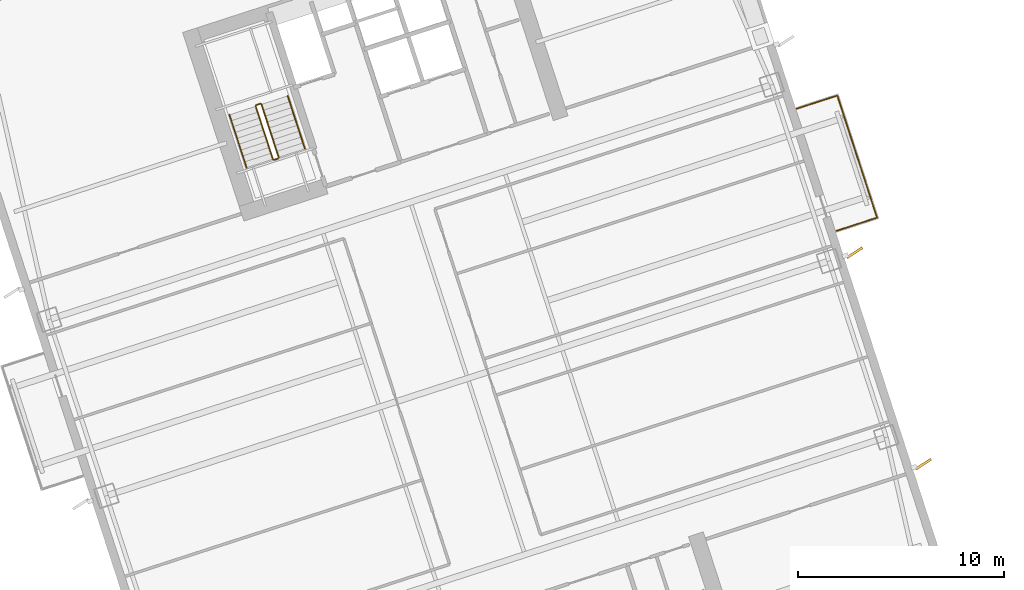
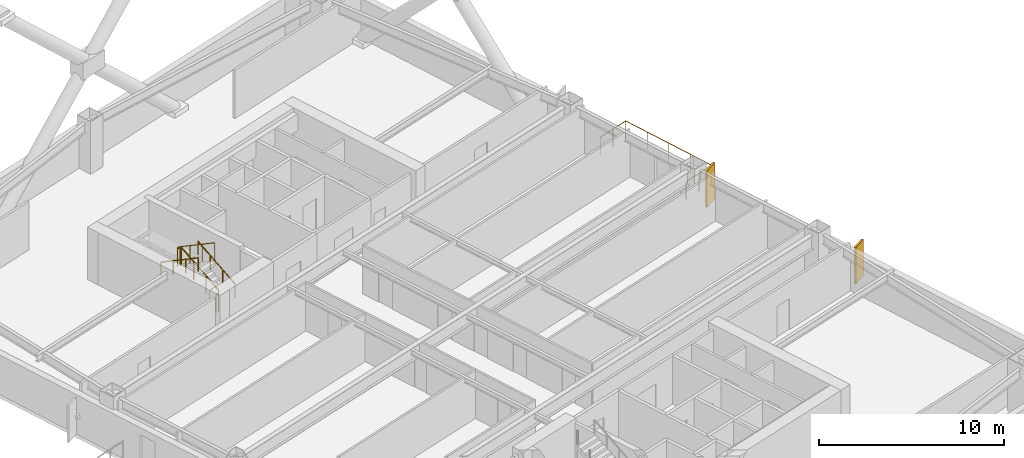
# One storey, part 17 of 18: 7 railings, 2 shading devices.
"""IFC4 building model written with IfcOpenShell, lengths in metres."""

from ifc_helpers import new_model, si_unit, direction, frame, origin, origin_2d, place, context, subcontext, project, spatial, rectangle, circle, extrude, material, layer, layer_set, type_object, element, save


model = new_model("IFC4")

# Units and contexts
model_context = context("Model", 3, precision=1e-05, world=origin(), true_north=direction((0.0, 1.0)))
body_context = subcontext(model_context, "Body", "Model", "MODEL_VIEW")
ifc_project = project(units=[si_unit("LENGTHUNIT", "METRE"), si_unit("AREAUNIT", "SQUARE_METRE"), si_unit("VOLUMEUNIT", "CUBIC_METRE"), si_unit("PLANEANGLEUNIT", "RADIAN"), si_unit("MASSUNIT", "GRAM", prefix="KILO")], contexts=[model_context])

# Site, building, storey
site_placement = place(None, origin())
site = spatial("IfcSite", under=ifc_project, at=site_placement, CompositionType="ELEMENT")
building_placement = place(site_placement, origin())
building = spatial("IfcBuilding", under=site, at=building_placement, Name="Qiaolan Cultural Towers", CompositionType="ELEMENT")
storey_placement = place(building_placement, frame((0.0, 0.0, 57.5)))
storey = spatial("IfcBuildingStorey", under=building, at=storey_placement, Name="L13", CompositionType="ELEMENT", Elevation=57.5)

# Railings
ifc_material_1 = material(Name="Laminated SentryGlas & Stainless Steel S31608 Balustrade", Category="steel")
railing_type_1 = type_object("IfcRailingType", Name="GRD-TERR-1200", PredefinedType="BALUSTRADE", material=ifc_material_1)
railing_1_placement = place(storey_placement, frame((107.912353515625, 41.166015625, 0.0)))
element("IfcRailing", 1, at=railing_1_placement, inside=storey, type_object=railing_type_1, Name="L13 T2 Tree Balcony Guardrail E", PredefinedType="BALUSTRADE", context=body_context, shape_type="SweptSolid", body=[
    extrude(circle(Radius=0.02392578125, at=origin_2d()), frame((0.0, 0.0, 1.17578125), z_axis=(0.951061799618, 0.309000733507, 0.0), x_axis=(-0.309000733507, 0.951061799618, 0.0)), (0.0, 0.0, 1.0), 2.070068359375),
    extrude(circle(Radius=0.02392578125, at=origin_2d()), frame((1.96875, 0.6396484375, 1.17578125), z_axis=(-0.309047146287, 0.951046718817, 0.0), x_axis=(-0.951046718817, -0.309047146287, 0.0)), (0.0, 0.0, 1.0), 6.239990234375),
    extrude(circle(Radius=0.02392578125, at=origin_2d()), frame((0.040283203125, 6.57421875, 1.17578125), z_axis=(-0.951050536716, -0.309035397023, 0.0), x_axis=(0.309035397023, -0.951050536716, 0.0)), (0.0, 0.0, 1.0), 2.06982421875),
    extrude(circle(Radius=0.02099609375, at=origin_2d()), origin(), (0.0, 0.0, 1.0), 1.15185546875),
    extrude(circle(Radius=0.02099609375, at=origin_2d()), frame((0.984375, 0.31982421875, 0.0)), (0.0, 0.0, 1.0), 1.15185546875),
    extrude(circle(Radius=0.02099609375, at=origin_2d()), frame((1.96875, 0.6396484375, 0.0)), (0.0, 0.0, 1.0), 1.15185546875),
    extrude(circle(Radius=0.02099609375, at=origin_2d()), frame((1.486572265625, 2.123291015625, 0.0)), (0.0, 0.0, 1.0), 1.15185546875),
    extrude(circle(Radius=0.02099609375, at=origin_2d()), frame((1.00439453125, 3.60693359375, 0.0)), (0.0, 0.0, 1.0), 1.15185546875),
    extrude(circle(Radius=0.02099609375, at=origin_2d()), frame((0.5224609375, 5.090576171875, 0.0)), (0.0, 0.0, 1.0), 1.15185546875),
    extrude(circle(Radius=0.02099609375, at=origin_2d()), frame((0.040283203125, 6.57421875, 0.0)), (0.0, 0.0, 1.0), 1.15185546875),
    extrude(circle(Radius=0.02099609375, at=origin_2d()), frame((-0.94384765625, 6.25439453125, 0.0)), (0.0, 0.0, 1.0), 1.15185546875),
    extrude(circle(Radius=0.02099609375, at=origin_2d()), frame((-1.92822265625, 5.9345703125, 0.0)), (0.0, 0.0, 1.0), 1.15185546875),
])
ifc_material_2 = material(Name="Galvanized Painted Steel Stair Guardrail", Category="steel")
railing_type_2 = type_object("IfcRailingType", Name="RL-STAIR-GRD", PredefinedType="GUARDRAIL", material=ifc_material_2)
railing_2_placement = place(storey_placement, frame((80.822021484375, 44.739501953125, 0.172607421875)))
element("IfcRailing", 2, at=railing_2_placement, inside=storey, type_object=railing_type_2, Name="L13 ST-E2 stair guard 1", PredefinedType="GUARDRAIL", context=body_context, shape_type="SweptSolid", body=[
    extrude(circle(Radius=0.02392578125, at=origin_2d()), frame((0.0, 0.0, 1.17578125), z_axis=(-0.26785290645, 0.824488402118, 0.498471358535), x_axis=(-0.951069945308, -0.308975661068, 0.0)), (0.0, 0.0, 1.0), 3.114501953125),
    extrude(circle(Radius=0.02099609375, at=origin_2d()), origin(), (0.0, 0.0, 1.0), 1.15185546875),
    extrude(circle(Radius=0.02099609375, at=origin_2d()), frame((-0.278076171875, 0.85595703125, 0.517578125)), (0.0, 0.0, 1.0), 1.15185546875),
    extrude(circle(Radius=0.02099609375, at=origin_2d()), frame((-0.55615234375, 1.7119140625, 1.034912109375)), (0.0, 0.0, 1.0), 1.15185546875),
    extrude(circle(Radius=0.02099609375, at=origin_2d()), frame((-0.834228515625, 2.56787109375, 1.552490234375)), (0.0, 0.0, 1.0), 1.15185546875),
])
railing_3_placement = place(storey_placement, frame((79.9248046875, 47.33935546875, 1.72509765625)))
element("IfcRailing", 3, at=railing_3_placement, inside=storey, type_object=railing_type_2, Name="L13 ST-E2 stair guard 2", PredefinedType="GUARDRAIL", context=body_context, shape_type="SweptSolid", body=[
    extrude(circle(Radius=0.02392578125, at=origin_2d()), frame((0.0, 0.0, 1.17578125), z_axis=(-0.951096855055, -0.308892816854, 0.0), x_axis=(0.308892816854, -0.951096855055, 0.0)), (0.0, 0.0, 1.0), 0.199951171875),
    extrude(circle(Radius=0.02099609375, at=origin_2d()), origin(), (0.0, 0.0, 1.0), 1.15185546875),
    extrude(circle(Radius=0.02099609375, at=origin_2d()), frame((-0.190185546875, -0.061767578125, 0.0)), (0.0, 0.0, 1.0), 1.15185546875),
])
railing_4_placement = place(storey_placement, frame((79.702392578125, 47.214599609375, 1.8974609375)))
element("IfcRailing", 4, at=railing_4_placement, inside=storey, type_object=railing_type_2, Name="L13 ST-E2 stair guard 3", PredefinedType="GUARDRAIL", context=body_context, shape_type="SweptSolid", body=[
    extrude(circle(Radius=0.02392578125, at=origin_2d()), frame((0.0, 0.0, 1.17578125), z_axis=(0.267925668498, -0.824471088726, 0.498460891159), x_axis=(0.951043371037, 0.309057448393, 0.0)), (0.0, 0.0, 1.0), 3.114501953125),
    extrude(circle(Radius=0.02099609375, at=origin_2d()), origin(), (0.0, 0.0, 1.0), 1.15185546875),
    extrude(circle(Radius=0.02099609375, at=origin_2d()), frame((0.278076171875, -0.85595703125, 0.517578125)), (0.0, 0.0, 1.0), 1.15185546875),
    extrude(circle(Radius=0.02099609375, at=origin_2d()), frame((0.556396484375, -1.7119140625, 1.034912109375)), (0.0, 0.0, 1.0), 1.15185546875),
    extrude(circle(Radius=0.02099609375, at=origin_2d()), frame((0.83447265625, -2.56787109375, 1.552490234375)), (0.0, 0.0, 1.0), 1.15185546875),
])
railing_5_placement = place(storey_placement, frame((80.7900390625, 44.676513671875, 0.0)))
element("IfcRailing", 5, at=railing_5_placement, inside=storey, type_object=railing_type_2, Name="L13 ST-E2 stair guard 4", PredefinedType="GUARDRAIL", context=body_context, shape_type="SweptSolid", body=[
    extrude(circle(Radius=0.02392578125, at=origin_2d()), frame((0.0, 0.0, 1.17578125), z_axis=(-0.951096855055, -0.308892816854, 0.0), x_axis=(0.308892816854, -0.951096855055, 0.0)), (0.0, 0.0, 1.0), 0.199951171875),
    extrude(circle(Radius=0.02099609375, at=origin_2d()), origin(), (0.0, 0.0, 1.0), 1.15185546875),
    extrude(circle(Radius=0.02099609375, at=origin_2d()), frame((-0.190185546875, -0.061767578125, 0.0)), (0.0, 0.0, 1.0), 1.15185546875),
])
ifc_material_3 = material(Name="Stainless Steel S30408 Tubular Handrail", Category="steel")
railing_type_3 = type_object("IfcRailingType", Name="RL-STAIR-HR", PredefinedType="HANDRAIL", material=ifc_material_3)
railing_6_placement = place(storey_placement, frame((82.096435546875, 45.153564453125, 0.172607421875)))
element("IfcRailing", 6, at=railing_6_placement, inside=storey, type_object=railing_type_3, Name="L13 ST-E2 stair handrail 1", PredefinedType="HANDRAIL", context=body_context, shape_type="SweptSolid", body=[
    extrude(circle(Radius=0.02392578125, at=origin_2d()), frame((0.0, 0.0, 0.8759765625), z_axis=(-0.26785290645, 0.824488402118, 0.498471358535), x_axis=(-0.951069945308, -0.308975661068, 0.0)), (0.0, 0.0, 1.0), 3.114501953125),
    extrude(circle(Radius=0.02099609375, at=origin_2d()), origin(), (0.0, 0.0, 1.0), 0.851806640625),
    extrude(circle(Radius=0.02099609375, at=origin_2d()), frame((-0.278076171875, 0.85595703125, 0.517578125)), (0.0, 0.0, 1.0), 0.851806640625),
    extrude(circle(Radius=0.02099609375, at=origin_2d()), frame((-0.55615234375, 1.7119140625, 1.034912109375)), (0.0, 0.0, 1.0), 0.851806640625),
    extrude(circle(Radius=0.02099609375, at=origin_2d()), frame((-0.834228515625, 2.56787109375, 1.552490234375)), (0.0, 0.0, 1.0), 0.851806640625),
])
railing_7_placement = place(storey_placement, frame((78.427978515625, 46.800537109375, 1.8974609375)))
element("IfcRailing", 7, at=railing_7_placement, inside=storey, type_object=railing_type_3, Name="L13 ST-E2 stair handrail 2", PredefinedType="HANDRAIL", context=body_context, shape_type="SweptSolid", body=[
    extrude(circle(Radius=0.02392578125, at=origin_2d()), frame((0.0, 0.0, 0.8759765625), z_axis=(0.267925668498, -0.824471088726, 0.498460891159), x_axis=(0.951043371037, 0.309057448393, 0.0)), (0.0, 0.0, 1.0), 3.114501953125),
    extrude(circle(Radius=0.02099609375, at=origin_2d()), origin(), (0.0, 0.0, 1.0), 0.851806640625),
    extrude(circle(Radius=0.02099609375, at=origin_2d()), frame((0.278076171875, -0.85595703125, 0.517578125)), (0.0, 0.0, 1.0), 0.851806640625),
    extrude(circle(Radius=0.02099609375, at=origin_2d()), frame((0.556396484375, -1.7119140625, 1.034912109375)), (0.0, 0.0, 1.0), 0.851806640625),
    extrude(circle(Radius=0.02099609375, at=origin_2d()), frame((0.83447265625, -2.56787109375, 1.552490234375)), (0.0, 0.0, 1.0), 0.851806640625),
])

# Shading devices
ifc_material_4 = material(Name="Dark Basalt Honed Precast Terracotta Fin", Category="masonry")
ifc_layer = layer(ifc_material_4, 0.1201171875)
ifc_layer_set = layer_set([ifc_layer], Name="Dark Basalt Honed Precast Terracotta Fin")
shading_device_type = type_object("IfcShadingDeviceType", Name="SHD-FIN-DARK", PredefinedType="USERDEFINED", material=ifc_layer_set)
for number, where, z_axis, x_axis, name in (
    (8, (112.13037109375, 29.834716796875, 0.10009765625), (0.0, 0.0, 1.0), (0.840830135782, 0.54129906961, 0.0), "L13 T2 Expressive Precast Vertical Fin E1"),
    (9, (108.79296875, 40.106201171875, 0.10009765625), (0.0, 0.0, 1.0), (0.840830135782, 0.54129906961, 0.0), "L13 T2 Expressive Precast Vertical Fin E2"),
):
    element("IfcShadingDevice", number, at=place(storey_placement, frame(where, z_axis=z_axis, x_axis=x_axis)), inside=storey, type_object=shading_device_type, Name=name, ObjectType="FIN", PredefinedType="USERDEFINED", context=body_context, shape_type="SweptSolid", body=[
        extrude(rectangle(XDim=0.89990234375, YDim=0.1201171875, at=origin_2d()), origin(), (0.0, 0.0, 1.0), 2.409912109375),
    ])

save(model, "model.ifc")
